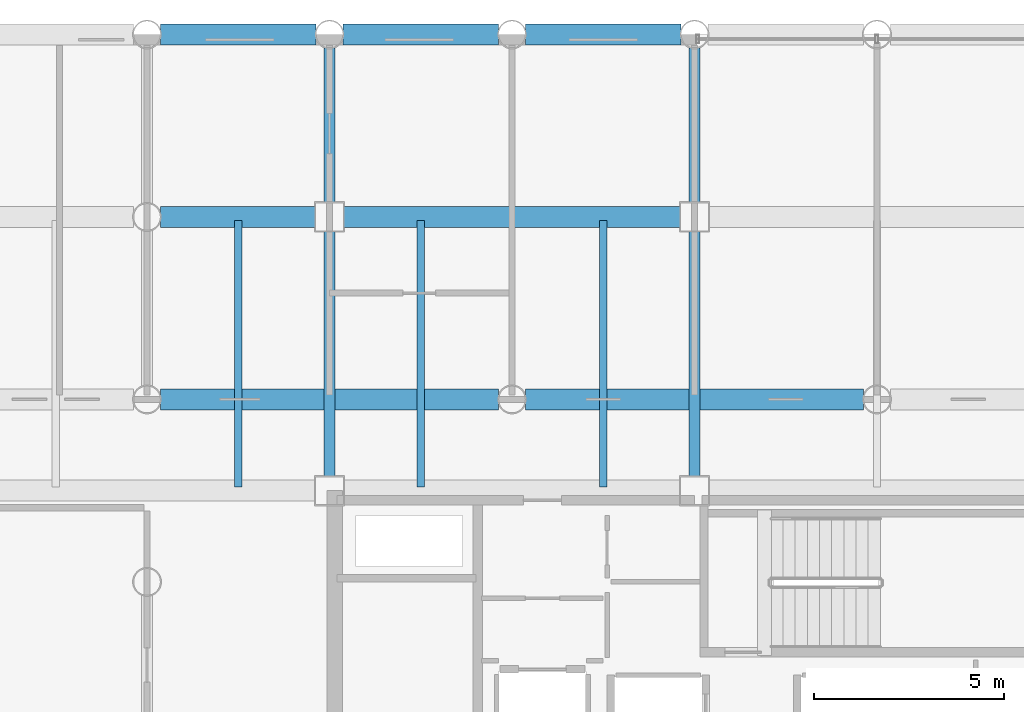
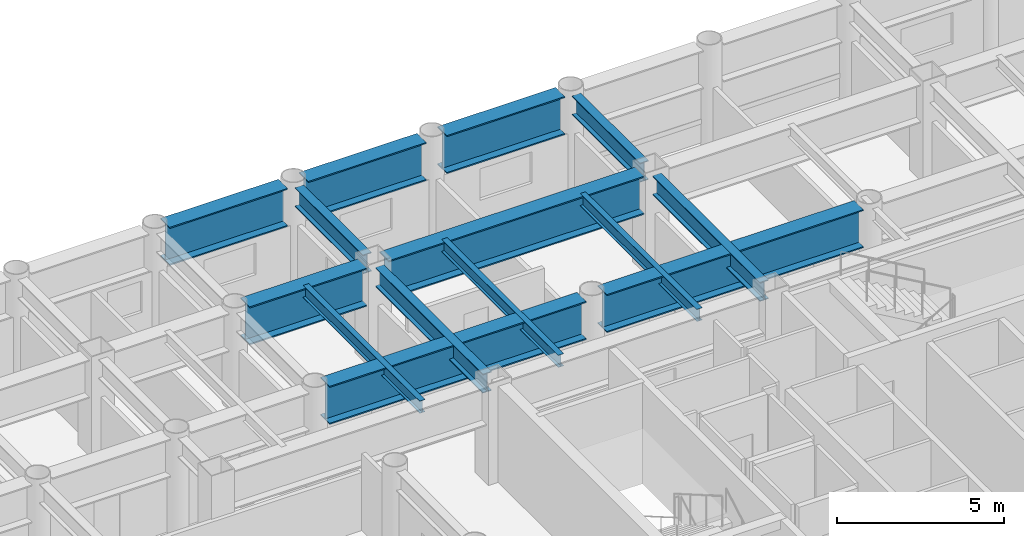
# One storey, part 13 of 26: 14 beams.
"""IFC4 building model written with IfcOpenShell, lengths in metres."""

from ifc_helpers import new_model, si_unit, direction, frame, origin, origin_2d, place, context, subcontext, project, spatial, i_section, extrude, material, material_profile, profile_set, type_object, element, save


model = new_model("IFC4")

# Units and contexts
model_context = context("Model", 3, precision=1e-05, world=origin(), true_north=direction((0.0, 1.0)))
body_context = subcontext(model_context, "Body", "Model", "MODEL_VIEW")
ifc_project = project(units=[si_unit("LENGTHUNIT", "METRE"), si_unit("AREAUNIT", "SQUARE_METRE"), si_unit("VOLUMEUNIT", "CUBIC_METRE"), si_unit("PLANEANGLEUNIT", "RADIAN"), si_unit("MASSUNIT", "GRAM", prefix="KILO")], contexts=[model_context])

# Site, building, storey
site_placement = place(None, origin())
site = spatial("IfcSite", under=ifc_project, at=site_placement, CompositionType="ELEMENT")
building_placement = place(site_placement, origin())
building = spatial("IfcBuilding", under=site, at=building_placement, Name="Kallvorn Hotel Tower", CompositionType="ELEMENT")
storey_placement = place(building_placement, frame((0.0, 0.0, 55.89990234375)))
storey = spatial("IfcBuildingStorey", under=building, at=storey_placement, Name="L12", CompositionType="ELEMENT", Elevation=55.89990234375)

# Beams
ifc_material_1 = material(Name="Structural steel S355JR", Category="steel")
ifc_material_profile_1 = material_profile(ifc_material_1, i_section(OverallWidth=0.300048828125, OverallDepth=0.699951171875, WebThickness=0.01708984375, FlangeThickness=0.031982421875, at=origin_2d()), Name="HE 700 B")
ifc_profile_set_1 = profile_set([ifc_material_profile_1], Name="Structural steel S355JR")
beam_type_1 = type_object("IfcBeamType", Name="BM_HE700B", PredefinedType="BEAM", material=ifc_profile_set_1)
beam_1_placement = place(storey_placement, frame((-14.39990234375, 7.574951171875, 3.170166015625), z_axis=(0.0, 1.0, 0.0), x_axis=(-1.0, 0.0, 0.0)))
element("IfcBeam", 1, at=beam_1_placement, inside=storey, type_object=beam_type_1, Name="L13 Primary Y-Girder 110", PredefinedType="BEAM", context=body_context, shape_type="SweptSolid", body=[
    extrude(i_section(OverallWidth=0.300048828125, OverallDepth=0.699951171875, WebThickness=0.01708984375, FlangeThickness=0.031982421875, at=origin_2d()), origin(), (0.0, 0.0, 1.0), 6.449951171875),
])
beam_2_placement = place(storey_placement, frame((-14.39990234375, 14.77490234375, 3.170166015625), z_axis=(0.0, 1.0, 0.0), x_axis=(-1.0, 0.0, 0.0)))
element("IfcBeam", 2, at=beam_2_placement, inside=storey, type_object=beam_type_1, Name="L13 Primary Y-Girder 111", PredefinedType="BEAM", context=body_context, shape_type="SweptSolid", body=[
    extrude(i_section(OverallWidth=0.300048828125, OverallDepth=0.699951171875, WebThickness=0.01708984375, FlangeThickness=0.031982421875, at=origin_2d()), origin(), (0.0, 0.0, 1.0), 4.069091796875),
])
beam_3_placement = place(storey_placement, frame((-4.800048828125, 7.574951171875, 3.170166015625), z_axis=(0.0, 1.0, 0.0), x_axis=(-1.0, 0.0, 0.0)))
element("IfcBeam", 3, at=beam_3_placement, inside=storey, type_object=beam_type_1, Name="L13 Primary Y-Girder 118", PredefinedType="BEAM", context=body_context, shape_type="SweptSolid", body=[
    extrude(i_section(OverallWidth=0.300048828125, OverallDepth=0.699951171875, WebThickness=0.01708984375, FlangeThickness=0.031982421875, at=origin_2d()), origin(), (0.0, 0.0, 1.0), 6.449951171875),
])
beam_4_placement = place(storey_placement, frame((-4.800048828125, 14.77490234375, 3.170166015625), z_axis=(0.0, 1.0, 0.0), x_axis=(-1.0, 0.0, 0.0)))
element("IfcBeam", 4, at=beam_4_placement, inside=storey, type_object=beam_type_1, Name="L13 Primary Y-Girder 119", PredefinedType="BEAM", context=body_context, shape_type="SweptSolid", body=[
    extrude(i_section(OverallWidth=0.300048828125, OverallDepth=0.699951171875, WebThickness=0.01708984375, FlangeThickness=0.031982421875, at=origin_2d()), origin(), (0.0, 0.0, 1.0), 4.069091796875),
])
ifc_material_2 = material(Name="Structural steel S355JR", Category="steel")
ifc_material_profile_2 = material_profile(ifc_material_2, i_section(OverallWidth=0.18994140625, OverallDepth=0.449951171875, WebThickness=0.009521484375, FlangeThickness=0.0146484375, at=origin_2d()), Name="IPE 450")
ifc_profile_set_2 = profile_set([ifc_material_profile_2], Name="Structural steel S355JR")
beam_type_2 = type_object("IfcBeamType", Name="BM_IPE450", PredefinedType="JOIST", material=ifc_profile_set_2)
for number, where, z_axis, x_axis, name in (
    (5, (-16.800048828125, 7.300048828125, 3.295166015625), (0.0, 1.0, 0.0), (-1.0, 0.0, 0.0), "L13 Secondary Composite Joist 204"),
    (6, (-12.0, 7.300048828125, 3.295166015625), (0.0, 1.0, 0.0), (-1.0, 0.0, 0.0), "L13 Secondary Composite Joist 206"),
    (7, (-7.199951171875, 7.300048828125, 3.295166015625), (0.0, 1.0, 0.0), (-1.0, 0.0, 0.0), "L13 Secondary Composite Joist 208"),
):
    element("IfcBeam", number, at=place(storey_placement, frame(where, z_axis=z_axis, x_axis=x_axis)), inside=storey, type_object=beam_type_2, Name=name, PredefinedType="JOIST", context=body_context, shape_type="SweptSolid", body=[
        extrude(i_section(OverallWidth=0.18994140625, OverallDepth=0.449951171875, WebThickness=0.009521484375, FlangeThickness=0.0146484375, at=origin_2d()), origin(), (0.0, 0.0, 1.0), 7.0),
    ])
ifc_material_3 = material(Name="Structural steel S355JR", Category="steel")
ifc_material_profile_3 = material_profile(ifc_material_3, i_section(OverallWidth=0.550048828125, OverallDepth=1.39990234375, WebThickness=0.02490234375, FlangeThickness=0.044921875, at=origin_2d()), Name="PG 1400x550x25x45")
ifc_profile_set_3 = profile_set([ifc_material_profile_3], Name="Structural steel S355JR")
beam_type_3 = type_object("IfcBeamType", Name="BM_PG_1400", PredefinedType="BEAM", material=ifc_profile_set_3)
for number, where, z_axis, x_axis, name in (
    (8, (-18.843994140625, 9.60009765625, 2.820068359375), (1.0, 0.0, 0.0), (0.0, 1.0, 0.0), "L13 Primary X-Girder 54"),
    (9, (-9.243896484375, 9.60009765625, 2.820068359375), (1.0, 0.0, 0.0), (0.0, 1.0, 0.0), "L13 Primary X-Girder 55"),
):
    element("IfcBeam", number, at=place(storey_placement, frame(where, z_axis=z_axis, x_axis=x_axis)), inside=storey, type_object=beam_type_3, Name=name, PredefinedType="BEAM", context=body_context, shape_type="SweptSolid", body=[
        extrude(i_section(OverallWidth=0.550048828125, OverallDepth=1.39990234375, WebThickness=0.02490234375, FlangeThickness=0.044921875, at=origin_2d()), origin(), (0.0, 0.0, 1.0), 8.887939453125),
    ])
beam_5_placement = place(storey_placement, frame((-18.843994140625, 14.39990234375, 2.820068359375), z_axis=(1.0, 0.0, 0.0), x_axis=(0.0, 1.0, 0.0)))
element("IfcBeam", 10, at=beam_5_placement, inside=storey, type_object=beam_type_3, Name="L13 Primary X-Girder 63", PredefinedType="BEAM", context=body_context, shape_type="SweptSolid", body=[
    extrude(i_section(OverallWidth=0.550048828125, OverallDepth=1.39990234375, WebThickness=0.02490234375, FlangeThickness=0.044921875, at=origin_2d()), origin(), (0.0, 0.0, 1.0), 4.069091796875),
])
beam_6_placement = place(storey_placement, frame((-14.02490234375, 14.39990234375, 2.820068359375), z_axis=(1.0, 0.0, 0.0), x_axis=(0.0, 1.0, 0.0)))
element("IfcBeam", 11, at=beam_6_placement, inside=storey, type_object=beam_type_3, Name="L13 Primary X-Girder 64", PredefinedType="BEAM", context=body_context, shape_type="SweptSolid", body=[
    extrude(i_section(OverallWidth=0.550048828125, OverallDepth=1.39990234375, WebThickness=0.02490234375, FlangeThickness=0.044921875, at=origin_2d()), origin(), (0.0, 0.0, 1.0), 8.849853515625),
])
for number, where, z_axis, x_axis, name in (
    (12, (-18.843994140625, 19.199951171875, 2.820068359375), (1.0, 0.0, 0.0), (0.0, 1.0, 0.0), "L13 Primary X-Girder 72"),
    (13, (-14.0439453125, 19.199951171875, 2.820068359375), (1.0, 0.0, 0.0), (0.0, 1.0, 0.0), "L13 Primary X-Girder 73"),
    (14, (-9.243896484375, 19.199951171875, 2.820068359375), (1.0, 0.0, 0.0), (0.0, 1.0, 0.0), "L13 Primary X-Girder 74"),
):
    element("IfcBeam", number, at=place(storey_placement, frame(where, z_axis=z_axis, x_axis=x_axis)), inside=storey, type_object=beam_type_3, Name=name, PredefinedType="BEAM", context=body_context, shape_type="SweptSolid", body=[
        extrude(i_section(OverallWidth=0.550048828125, OverallDepth=1.39990234375, WebThickness=0.02490234375, FlangeThickness=0.044921875, at=origin_2d()), origin(), (0.0, 0.0, 1.0), 4.087890625),
    ])

save(model, "model.ifc")
